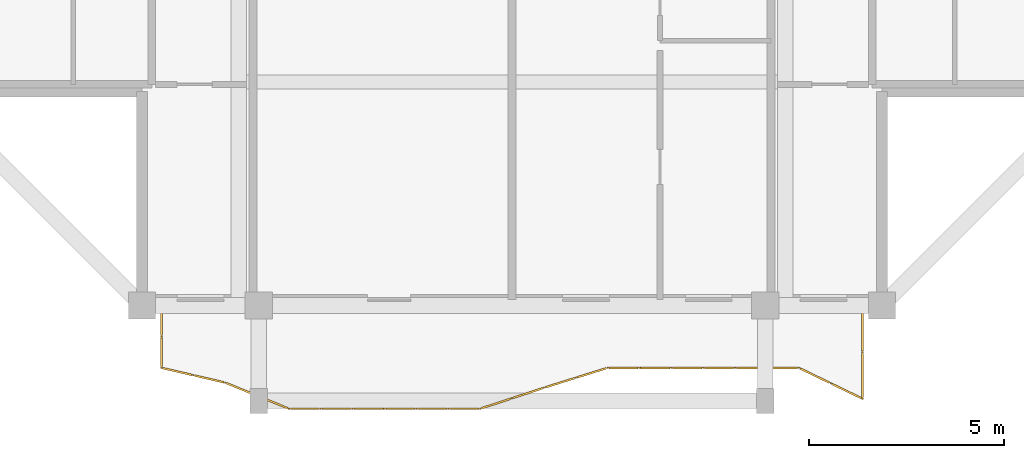
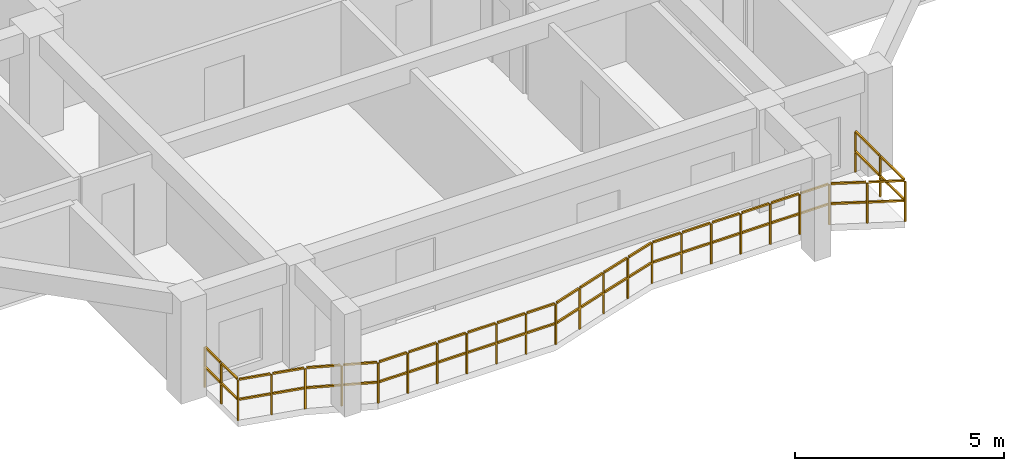
# One storey, part 8 of 12: 1 railing.
"""IFC4 building model written with IfcOpenShell, lengths in metres."""

from ifc_helpers import new_model, si_unit, direction, frame, origin, origin_2d, place, context, subcontext, project, spatial, rectangle, extrude, material, type_object, element, save


model = new_model("IFC4")

# Units and contexts
model_context = context("Model", 3, precision=1e-05, world=origin(), true_north=direction((0.0, 1.0)))
body_context = subcontext(model_context, "Body", "Model", "MODEL_VIEW")
ifc_project = project(units=[si_unit("LENGTHUNIT", "METRE"), si_unit("AREAUNIT", "SQUARE_METRE"), si_unit("VOLUMEUNIT", "CUBIC_METRE"), si_unit("PLANEANGLEUNIT", "RADIAN"), si_unit("MASSUNIT", "GRAM", prefix="KILO")], contexts=[model_context])

# Site, building, storey
site_placement = place(None, origin())
site = spatial("IfcSite", under=ifc_project, at=site_placement, CompositionType="ELEMENT")
building_placement = place(site_placement, origin())
building = spatial("IfcBuilding", under=site, at=building_placement, Name="Saelheon Loggia Tower", CompositionType="ELEMENT")
storey_placement = place(building_placement, frame((0.0, 0.0, 243.0)))
storey = spatial("IfcBuildingStorey", under=building, at=storey_placement, Name="L75", CompositionType="ELEMENT", Elevation=243.0)

# Railing
ifc_material = material(Name="Architectural Precast Concrete and Laminated Glass Guard", Category="concrete")
railing_type = type_object("IfcRailingType", Name="Guard_Loggia_RL_LOG", PredefinedType="BALUSTRADE", material=ifc_material)
railing_placement = place(storey_placement, frame((29.0, 6.0, 0.0)))
element("IfcRailing", 1, at=railing_placement, inside=storey, type_object=railing_type, Name="L75 South Loggia Balustrade", PredefinedType="BALUSTRADE", context=body_context, shape_type="SweptSolid", body=[
    extrude(rectangle(XDim=0.048095703125, YDim=0.048095703125, at=origin_2d()), frame((0.0, -0.033203125, 1.19580078125), z_axis=(0.0, -1.0, 0.0), x_axis=(1.0, 0.0, 0.0)), (0.0, 0.0, 1.0), 0.733642578125),
    extrude(rectangle(XDim=0.048095703125, YDim=0.048095703125, at=origin_2d()), frame((0.0, -0.033203125, 0.60986328125), z_axis=(0.0, -1.0, 0.0), x_axis=(1.0, 0.0, 0.0)), (0.0, 0.0, 1.0), 0.733642578125),
    extrude(rectangle(XDim=0.048095703125, YDim=0.048095703125, at=origin_2d()), frame((0.0, -0.833251953125, 1.19580078125), z_axis=(0.0, -1.0, 0.0), x_axis=(1.0, 0.0, 0.0)), (0.0, 0.0, 1.0), 0.733642578125),
    extrude(rectangle(XDim=0.048095703125, YDim=0.048095703125, at=origin_2d()), frame((0.0, -0.833251953125, 0.60986328125), z_axis=(0.0, -1.0, 0.0), x_axis=(1.0, 0.0, 0.0)), (0.0, 0.0, 1.0), 0.733642578125),
    extrude(rectangle(XDim=0.048095703125, YDim=0.048095703125, at=origin_2d()), frame((0.032470703125, -1.607666015625, 1.19580078125), z_axis=(0.974098915069, -0.226122320132, 0.0), x_axis=(0.226122320132, 0.974098915069, 0.0)), (0.0, 0.0, 1.0), 0.7734375),
    extrude(rectangle(XDim=0.048095703125, YDim=0.048095703125, at=origin_2d()), frame((0.032470703125, -1.607666015625, 0.60986328125), z_axis=(0.974098915069, -0.226122320132, 0.0), x_axis=(0.226122320132, 0.974098915069, 0.0)), (0.0, 0.0, 1.0), 0.7734375),
    extrude(rectangle(XDim=0.048095703125, YDim=0.048095703125, at=origin_2d()), frame((0.8505859375, -1.797607421875, 1.19580078125), z_axis=(0.974098915069, -0.226122320132, 0.0), x_axis=(0.226122320132, 0.974098915069, 0.0)), (0.0, 0.0, 1.0), 0.7734375),
    extrude(rectangle(XDim=0.048095703125, YDim=0.048095703125, at=origin_2d()), frame((0.8505859375, -1.797607421875, 0.60986328125), z_axis=(0.974098915069, -0.226122320132, 0.0), x_axis=(0.226122320132, 0.974098915069, 0.0)), (0.0, 0.0, 1.0), 0.7734375),
    extrude(rectangle(XDim=0.048095703125, YDim=0.048095703125, at=origin_2d()), frame((1.667236328125, -1.99267578125, 1.19580078125), z_axis=(0.925436938997, -0.378901665265, 0.0), x_axis=(0.378901665265, 0.925436938997, 0.0)), (0.0, 0.0, 1.0), 0.817626953125),
    extrude(rectangle(XDim=0.048095703125, YDim=0.048095703125, at=origin_2d()), frame((1.667236328125, -1.99267578125, 0.60986328125), z_axis=(0.925436938997, -0.378901665265, 0.0), x_axis=(0.378901665265, 0.925436938997, 0.0)), (0.0, 0.0, 1.0), 0.817626953125),
    extrude(rectangle(XDim=0.048095703125, YDim=0.048095703125, at=origin_2d()), frame((2.4853515625, -2.32763671875, 1.19580078125), z_axis=(0.925436938997, -0.378901665265, 0.0), x_axis=(0.378901665265, 0.925436938997, 0.0)), (0.0, 0.0, 1.0), 0.817626953125),
    extrude(rectangle(XDim=0.048095703125, YDim=0.048095703125, at=origin_2d()), frame((2.4853515625, -2.32763671875, 0.60986328125), z_axis=(0.925436938997, -0.378901665265, 0.0), x_axis=(0.378901665265, 0.925436938997, 0.0)), (0.0, 0.0, 1.0), 0.817626953125),
    extrude(rectangle(XDim=0.048095703125, YDim=0.048095703125, at=origin_2d()), frame((3.305908203125, -2.64990234375, 1.19580078125), z_axis=(1.0, 0.0, 0.0), x_axis=(0.0, 1.0, 0.0)), (0.0, 0.0, 1.0), 0.751708984375),
    extrude(rectangle(XDim=0.048095703125, YDim=0.048095703125, at=origin_2d()), frame((3.305908203125, -2.64990234375, 0.60986328125), z_axis=(1.0, 0.0, 0.0), x_axis=(0.0, 1.0, 0.0)), (0.0, 0.0, 1.0), 0.751708984375),
    extrude(rectangle(XDim=0.048095703125, YDim=0.048095703125, at=origin_2d()), frame((4.124267578125, -2.64990234375, 1.19580078125), z_axis=(1.0, 0.0, 0.0), x_axis=(0.0, 1.0, 0.0)), (0.0, 0.0, 1.0), 0.751708984375),
    extrude(rectangle(XDim=0.048095703125, YDim=0.048095703125, at=origin_2d()), frame((4.124267578125, -2.64990234375, 0.60986328125), z_axis=(1.0, 0.0, 0.0), x_axis=(0.0, 1.0, 0.0)), (0.0, 0.0, 1.0), 0.751708984375),
    extrude(rectangle(XDim=0.048095703125, YDim=0.048095703125, at=origin_2d()), frame((4.9423828125, -2.64990234375, 1.19580078125), z_axis=(1.0, 0.0, 0.0), x_axis=(0.0, 1.0, 0.0)), (0.0, 0.0, 1.0), 0.751708984375),
    extrude(rectangle(XDim=0.048095703125, YDim=0.048095703125, at=origin_2d()), frame((4.9423828125, -2.64990234375, 0.60986328125), z_axis=(1.0, 0.0, 0.0), x_axis=(0.0, 1.0, 0.0)), (0.0, 0.0, 1.0), 0.751708984375),
    extrude(rectangle(XDim=0.048095703125, YDim=0.048095703125, at=origin_2d()), frame((5.760498046875, -2.64990234375, 1.19580078125), z_axis=(1.0, 0.0, 0.0), x_axis=(0.0, 1.0, 0.0)), (0.0, 0.0, 1.0), 0.751708984375),
    extrude(rectangle(XDim=0.048095703125, YDim=0.048095703125, at=origin_2d()), frame((5.760498046875, -2.64990234375, 0.60986328125), z_axis=(1.0, 0.0, 0.0), x_axis=(0.0, 1.0, 0.0)), (0.0, 0.0, 1.0), 0.751708984375),
    extrude(rectangle(XDim=0.048095703125, YDim=0.048095703125, at=origin_2d()), frame((6.57861328125, -2.64990234375, 1.19580078125), z_axis=(1.0, 0.0, 0.0), x_axis=(0.0, 1.0, 0.0)), (0.0, 0.0, 1.0), 0.751708984375),
    extrude(rectangle(XDim=0.048095703125, YDim=0.048095703125, at=origin_2d()), frame((6.57861328125, -2.64990234375, 0.60986328125), z_axis=(1.0, 0.0, 0.0), x_axis=(0.0, 1.0, 0.0)), (0.0, 0.0, 1.0), 0.751708984375),
    extrude(rectangle(XDim=0.048095703125, YDim=0.048095703125, at=origin_2d()), frame((7.39697265625, -2.64990234375, 1.19580078125), z_axis=(1.0, 0.0, 0.0), x_axis=(0.0, 1.0, 0.0)), (0.0, 0.0, 1.0), 0.751708984375),
    extrude(rectangle(XDim=0.048095703125, YDim=0.048095703125, at=origin_2d()), frame((7.39697265625, -2.64990234375, 0.60986328125), z_axis=(1.0, 0.0, 0.0), x_axis=(0.0, 1.0, 0.0)), (0.0, 0.0, 1.0), 0.751708984375),
    extrude(rectangle(XDim=0.048095703125, YDim=0.048095703125, at=origin_2d()), frame((8.21337890625, -2.6396484375, 1.19580078125), z_axis=(0.950119398436, 0.311886403545, 0.0), x_axis=(-0.311886403545, 0.950119398436, 0.0)), (0.0, 0.0, 1.0), 0.794677734375),
    extrude(rectangle(XDim=0.048095703125, YDim=0.048095703125, at=origin_2d()), frame((8.21337890625, -2.6396484375, 0.60986328125), z_axis=(0.950119398436, 0.311886403545, 0.0), x_axis=(-0.311886403545, 0.950119398436, 0.0)), (0.0, 0.0, 1.0), 0.794677734375),
    extrude(rectangle(XDim=0.048095703125, YDim=0.048095703125, at=origin_2d()), frame((9.031494140625, -2.37109375, 1.19580078125), z_axis=(0.950119398436, 0.311886403545, 0.0), x_axis=(-0.311886403545, 0.950119398436, 0.0)), (0.0, 0.0, 1.0), 0.794677734375),
    extrude(rectangle(XDim=0.048095703125, YDim=0.048095703125, at=origin_2d()), frame((9.031494140625, -2.37109375, 0.60986328125), z_axis=(0.950119398436, 0.311886403545, 0.0), x_axis=(-0.311886403545, 0.950119398436, 0.0)), (0.0, 0.0, 1.0), 0.794677734375),
    extrude(rectangle(XDim=0.048095703125, YDim=0.048095703125, at=origin_2d()), frame((9.849853515625, -2.102783203125, 1.19580078125), z_axis=(0.954264410457, 0.298963935844, 0.0), x_axis=(-0.298963935844, 0.954264410457, 0.0)), (0.0, 0.0, 1.0), 0.791015625),
    extrude(rectangle(XDim=0.048095703125, YDim=0.048095703125, at=origin_2d()), frame((9.849853515625, -2.102783203125, 0.60986328125), z_axis=(0.954264410457, 0.298963935844, 0.0), x_axis=(-0.298963935844, 0.954264410457, 0.0)), (0.0, 0.0, 1.0), 0.791015625),
    extrude(rectangle(XDim=0.048095703125, YDim=0.048095703125, at=origin_2d()), frame((10.66796875, -1.846435546875, 1.19580078125), z_axis=(0.954264410457, 0.298963935844, 0.0), x_axis=(-0.298963935844, 0.954264410457, 0.0)), (0.0, 0.0, 1.0), 0.791015625),
    extrude(rectangle(XDim=0.048095703125, YDim=0.048095703125, at=origin_2d()), frame((10.66796875, -1.846435546875, 0.60986328125), z_axis=(0.954264410457, 0.298963935844, 0.0), x_axis=(-0.298963935844, 0.954264410457, 0.0)), (0.0, 0.0, 1.0), 0.791015625),
    extrude(rectangle(XDim=0.048095703125, YDim=0.048095703125, at=origin_2d()), frame((11.48779296875, -1.60009765625, 1.19580078125), z_axis=(1.0, 0.0, 0.0), x_axis=(0.0, 1.0, 0.0)), (0.0, 0.0, 1.0), 0.751708984375),
    extrude(rectangle(XDim=0.048095703125, YDim=0.048095703125, at=origin_2d()), frame((11.48779296875, -1.60009765625, 0.60986328125), z_axis=(1.0, 0.0, 0.0), x_axis=(0.0, 1.0, 0.0)), (0.0, 0.0, 1.0), 0.751708984375),
    extrude(rectangle(XDim=0.048095703125, YDim=0.048095703125, at=origin_2d()), frame((12.305908203125, -1.60009765625, 1.19580078125), z_axis=(1.0, 0.0, 0.0), x_axis=(0.0, 1.0, 0.0)), (0.0, 0.0, 1.0), 0.751708984375),
    extrude(rectangle(XDim=0.048095703125, YDim=0.048095703125, at=origin_2d()), frame((12.305908203125, -1.60009765625, 0.60986328125), z_axis=(1.0, 0.0, 0.0), x_axis=(0.0, 1.0, 0.0)), (0.0, 0.0, 1.0), 0.751708984375),
    extrude(rectangle(XDim=0.048095703125, YDim=0.048095703125, at=origin_2d()), frame((13.1240234375, -1.60009765625, 1.19580078125), z_axis=(1.0, 0.0, 0.0), x_axis=(0.0, 1.0, 0.0)), (0.0, 0.0, 1.0), 0.751708984375),
    extrude(rectangle(XDim=0.048095703125, YDim=0.048095703125, at=origin_2d()), frame((13.1240234375, -1.60009765625, 0.60986328125), z_axis=(1.0, 0.0, 0.0), x_axis=(0.0, 1.0, 0.0)), (0.0, 0.0, 1.0), 0.751708984375),
    extrude(rectangle(XDim=0.048095703125, YDim=0.048095703125, at=origin_2d()), frame((13.9423828125, -1.60009765625, 1.19580078125), z_axis=(1.0, 0.0, 0.0), x_axis=(0.0, 1.0, 0.0)), (0.0, 0.0, 1.0), 0.751708984375),
    extrude(rectangle(XDim=0.048095703125, YDim=0.048095703125, at=origin_2d()), frame((13.9423828125, -1.60009765625, 0.60986328125), z_axis=(1.0, 0.0, 0.0), x_axis=(0.0, 1.0, 0.0)), (0.0, 0.0, 1.0), 0.751708984375),
    extrude(rectangle(XDim=0.048095703125, YDim=0.048095703125, at=origin_2d()), frame((14.760498046875, -1.60009765625, 1.19580078125), z_axis=(1.0, 0.0, 0.0), x_axis=(0.0, 1.0, 0.0)), (0.0, 0.0, 1.0), 0.751708984375),
    extrude(rectangle(XDim=0.048095703125, YDim=0.048095703125, at=origin_2d()), frame((14.760498046875, -1.60009765625, 0.60986328125), z_axis=(1.0, 0.0, 0.0), x_axis=(0.0, 1.0, 0.0)), (0.0, 0.0, 1.0), 0.751708984375),
    extrude(rectangle(XDim=0.048095703125, YDim=0.048095703125, at=origin_2d()), frame((15.57861328125, -1.60009765625, 1.19580078125), z_axis=(1.0, 0.0, 0.0), x_axis=(0.0, 1.0, 0.0)), (0.0, 0.0, 1.0), 0.751708984375),
    extrude(rectangle(XDim=0.048095703125, YDim=0.048095703125, at=origin_2d()), frame((15.57861328125, -1.60009765625, 0.60986328125), z_axis=(1.0, 0.0, 0.0), x_axis=(0.0, 1.0, 0.0)), (0.0, 0.0, 1.0), 0.751708984375),
    extrude(rectangle(XDim=0.048095703125, YDim=0.048095703125, at=origin_2d()), frame((16.393310546875, -1.614501953125, 1.19580078125), z_axis=(0.899863608431, -0.436171395464, 0.0), x_axis=(0.436171395464, 0.899863608431, 0.0)), (0.0, 0.0, 1.0), 0.8427734375),
    extrude(rectangle(XDim=0.048095703125, YDim=0.048095703125, at=origin_2d()), frame((16.393310546875, -1.614501953125, 0.60986328125), z_axis=(0.899863608431, -0.436171395464, 0.0), x_axis=(0.436171395464, 0.899863608431, 0.0)), (0.0, 0.0, 1.0), 0.8427734375),
    extrude(rectangle(XDim=0.048095703125, YDim=0.048095703125, at=origin_2d()), frame((17.211669921875, -2.01123046875, 1.19580078125), z_axis=(0.899863608431, -0.436171395464, 0.0), x_axis=(0.436171395464, 0.899863608431, 0.0)), (0.0, 0.0, 1.0), 0.8427734375),
    extrude(rectangle(XDim=0.048095703125, YDim=0.048095703125, at=origin_2d()), frame((17.211669921875, -2.01123046875, 0.60986328125), z_axis=(0.899863608431, -0.436171395464, 0.0), x_axis=(0.436171395464, 0.899863608431, 0.0)), (0.0, 0.0, 1.0), 0.8427734375),
    extrude(rectangle(XDim=0.048095703125, YDim=0.048095703125, at=origin_2d()), frame((18.0, -2.360107421875, 1.19580078125), z_axis=(0.0, 1.0, 0.0), x_axis=(-1.0, 0.0, 0.0)), (0.0, 0.0, 1.0), 1.130126953125),
    extrude(rectangle(XDim=0.048095703125, YDim=0.048095703125, at=origin_2d()), frame((18.0, -2.360107421875, 0.60986328125), z_axis=(0.0, 1.0, 0.0), x_axis=(-1.0, 0.0, 0.0)), (0.0, 0.0, 1.0), 1.130126953125),
    extrude(rectangle(XDim=0.048095703125, YDim=0.048095703125, at=origin_2d()), frame((18.0, -1.163330078125, 1.19580078125), z_axis=(0.0, 1.0, 0.0), x_axis=(-1.0, 0.0, 0.0)), (0.0, 0.0, 1.0), 1.130126953125),
    extrude(rectangle(XDim=0.048095703125, YDim=0.048095703125, at=origin_2d()), frame((18.0, -1.163330078125, 0.60986328125), z_axis=(0.0, 1.0, 0.0), x_axis=(-1.0, 0.0, 0.0)), (0.0, 0.0, 1.0), 1.130126953125),
    extrude(rectangle(XDim=0.0419921875, YDim=0.0419921875, at=origin_2d()), origin(), (0.0, 0.0, 1.0), 1.16796875),
    extrude(rectangle(XDim=0.0419921875, YDim=0.0419921875, at=origin_2d()), frame((0.0, -0.800048828125, 0.0)), (0.0, 0.0, 1.0), 1.16796875),
    extrude(rectangle(XDim=0.0419921875, YDim=0.0419921875, at=origin_2d()), frame((0.0, -1.60009765625, 0.0)), (0.0, 0.0, 1.0), 1.16796875),
    extrude(rectangle(XDim=0.0419921875, YDim=0.0419921875, at=origin_2d()), frame((0.818359375, -1.7900390625, 0.0)), (0.0, 0.0, 1.0), 1.16796875),
    extrude(rectangle(XDim=0.0419921875, YDim=0.0419921875, at=origin_2d()), frame((1.636474609375, -1.97998046875, 0.0)), (0.0, 0.0, 1.0), 1.16796875),
    extrude(rectangle(XDim=0.0419921875, YDim=0.0419921875, at=origin_2d()), frame((2.45458984375, -2.31494140625, 0.0)), (0.0, 0.0, 1.0), 1.16796875),
    extrude(rectangle(XDim=0.0419921875, YDim=0.0419921875, at=origin_2d()), frame((3.272705078125, -2.64990234375, 0.0)), (0.0, 0.0, 1.0), 1.16796875),
    extrude(rectangle(XDim=0.0419921875, YDim=0.0419921875, at=origin_2d()), frame((4.0908203125, -2.64990234375, 0.0)), (0.0, 0.0, 1.0), 1.16796875),
    extrude(rectangle(XDim=0.0419921875, YDim=0.0419921875, at=origin_2d()), frame((4.9091796875, -2.64990234375, 0.0)), (0.0, 0.0, 1.0), 1.16796875),
    extrude(rectangle(XDim=0.0419921875, YDim=0.0419921875, at=origin_2d()), frame((5.727294921875, -2.64990234375, 0.0)), (0.0, 0.0, 1.0), 1.16796875),
    extrude(rectangle(XDim=0.0419921875, YDim=0.0419921875, at=origin_2d()), frame((6.54541015625, -2.64990234375, 0.0)), (0.0, 0.0, 1.0), 1.16796875),
    extrude(rectangle(XDim=0.0419921875, YDim=0.0419921875, at=origin_2d()), frame((7.36376953125, -2.64990234375, 0.0)), (0.0, 0.0, 1.0), 1.16796875),
    extrude(rectangle(XDim=0.0419921875, YDim=0.0419921875, at=origin_2d()), frame((8.181884765625, -2.64990234375, 0.0)), (0.0, 0.0, 1.0), 1.16796875),
    extrude(rectangle(XDim=0.0419921875, YDim=0.0419921875, at=origin_2d()), frame((9.0, -2.38134765625, 0.0)), (0.0, 0.0, 1.0), 1.16796875),
    extrude(rectangle(XDim=0.0419921875, YDim=0.0419921875, at=origin_2d()), frame((9.818115234375, -2.11279296875, 0.0)), (0.0, 0.0, 1.0), 1.16796875),
    extrude(rectangle(XDim=0.0419921875, YDim=0.0419921875, at=origin_2d()), frame((10.63623046875, -1.8564453125, 0.0)), (0.0, 0.0, 1.0), 1.16796875),
    extrude(rectangle(XDim=0.0419921875, YDim=0.0419921875, at=origin_2d()), frame((11.45458984375, -1.60009765625, 0.0)), (0.0, 0.0, 1.0), 1.16796875),
    extrude(rectangle(XDim=0.0419921875, YDim=0.0419921875, at=origin_2d()), frame((12.272705078125, -1.60009765625, 0.0)), (0.0, 0.0, 1.0), 1.16796875),
    extrude(rectangle(XDim=0.0419921875, YDim=0.0419921875, at=origin_2d()), frame((13.0908203125, -1.60009765625, 0.0)), (0.0, 0.0, 1.0), 1.16796875),
    extrude(rectangle(XDim=0.0419921875, YDim=0.0419921875, at=origin_2d()), frame((13.9091796875, -1.60009765625, 0.0)), (0.0, 0.0, 1.0), 1.16796875),
    extrude(rectangle(XDim=0.0419921875, YDim=0.0419921875, at=origin_2d()), frame((14.727294921875, -1.60009765625, 0.0)), (0.0, 0.0, 1.0), 1.16796875),
    extrude(rectangle(XDim=0.0419921875, YDim=0.0419921875, at=origin_2d()), frame((15.54541015625, -1.60009765625, 0.0)), (0.0, 0.0, 1.0), 1.16796875),
    extrude(rectangle(XDim=0.0419921875, YDim=0.0419921875, at=origin_2d()), frame((16.363525390625, -1.60009765625, 0.0)), (0.0, 0.0, 1.0), 1.16796875),
    extrude(rectangle(XDim=0.0419921875, YDim=0.0419921875, at=origin_2d()), frame((17.181640625, -1.99658203125, 0.0)), (0.0, 0.0, 1.0), 1.16796875),
    extrude(rectangle(XDim=0.0419921875, YDim=0.0419921875, at=origin_2d()), frame((18.0, -2.393310546875, 0.0)), (0.0, 0.0, 1.0), 1.16796875),
    extrude(rectangle(XDim=0.0419921875, YDim=0.0419921875, at=origin_2d()), frame((18.0, -1.19677734375, 0.0)), (0.0, 0.0, 1.0), 1.16796875),
    extrude(rectangle(XDim=0.0419921875, YDim=0.0419921875, at=origin_2d()), frame((18.0, 0.0, 0.0)), (0.0, 0.0, 1.0), 1.16796875),
])

save(model, "model.ifc")
